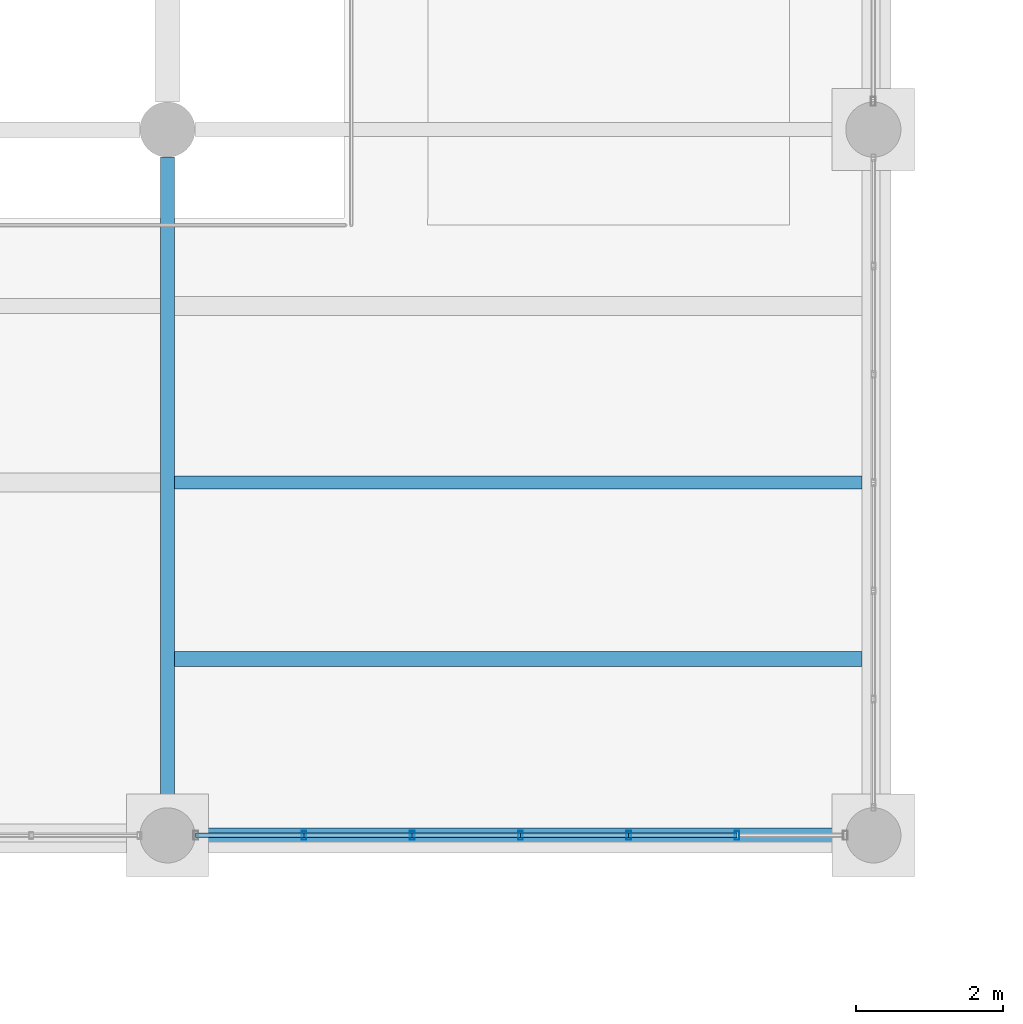
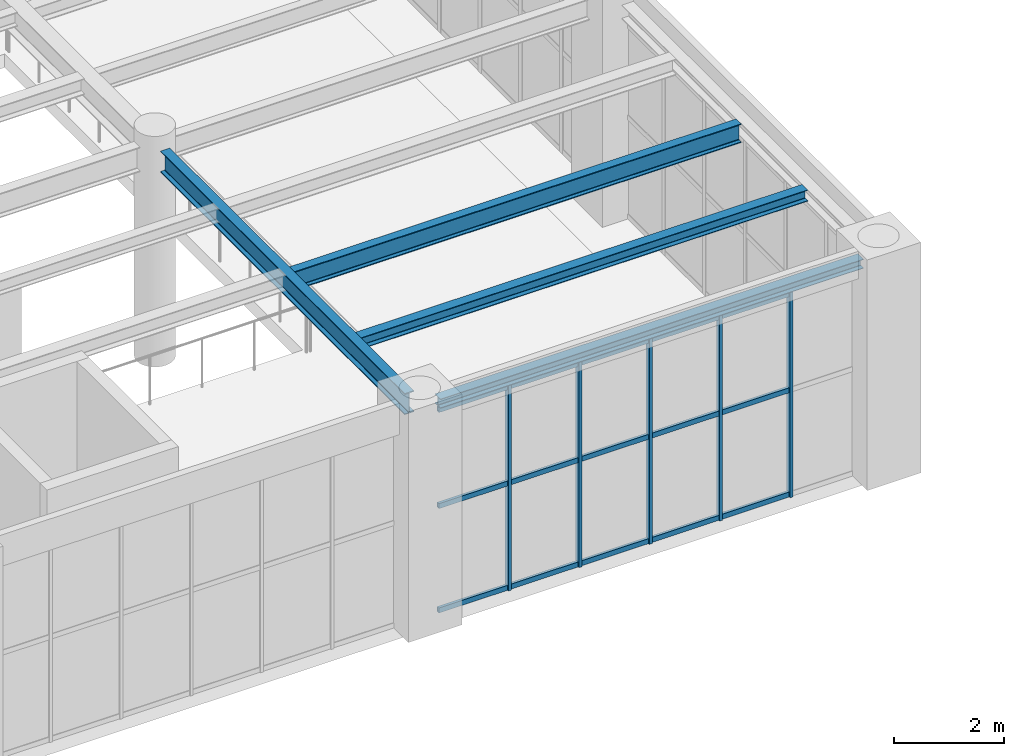
# One storey, part 35 of 174: 20 members, 4 beams, 1 element without a shape of its own.
"""IFC4 building model written with IfcOpenShell, lengths in metres."""

from ifc_helpers import new_model, si_unit, direction, frame, origin, origin_2d, place, context, subcontext, project, spatial, hollow_rectangle, i_section, extrude, material, material_profile, profile_set, type_object, element, aggregate, save


model = new_model("IFC4")

# Units and contexts
model_context = context("Model", 3, precision=1e-05, world=origin(), true_north=direction((0.0, 1.0)))
body_context = subcontext(model_context, "Body", "Model", "MODEL_VIEW")
ifc_project = project(units=[si_unit("LENGTHUNIT", "METRE"), si_unit("AREAUNIT", "SQUARE_METRE"), si_unit("VOLUMEUNIT", "CUBIC_METRE"), si_unit("PLANEANGLEUNIT", "RADIAN"), si_unit("MASSUNIT", "GRAM", prefix="KILO")], contexts=[model_context])

# Site, building, storey
site_placement = place(None, origin())
site = spatial("IfcSite", under=ifc_project, at=site_placement, CompositionType="ELEMENT")
building_placement = place(site_placement, origin())
building = spatial("IfcBuilding", under=site, at=building_placement, Name="Mavantir Sound Aquarium", CompositionType="ELEMENT")
storey_placement = place(building_placement, frame((0.0, 0.0, 5.39990234375)))
storey = spatial("IfcBuildingStorey", under=building, at=storey_placement, Name="L01", CompositionType="ELEMENT", Elevation=5.39990234375)

# Beams
ifc_material_1 = material(Name="Structural Steel ASTM A992 Gr50", Category="steel")
ifc_material_profile_1 = material_profile(ifc_material_1, i_section(OverallWidth=0.202880859375, OverallDepth=0.202880859375, WebThickness=0.007080078125, FlangeThickness=0.010986328125, FilletRadius=0.010009765625, at=origin_2d()), Name="W200X46")
ifc_profile_set_1 = profile_set([ifc_material_profile_1], Name="Structural Steel ASTM A992 Gr50")
beam_type_1 = type_object("IfcBeamType", Name="BM-W200X46-E", PredefinedType="LINTEL", material=ifc_profile_set_1)
beam_1_placement = place(storey_placement, frame((55.574951171875, 40.800048828125, 4.674560546875), z_axis=(1.0, 0.0, 0.0), x_axis=(0.0, 1.0, 0.0)))
element("IfcBeam", 1, at=beam_1_placement, inside=storey, type_object=beam_type_1, Name="L01 primary beam SL-20 1184", PredefinedType="LINTEL", context=body_context, shape_type="SweptSolid", body=[
    extrude(i_section(OverallWidth=0.202880859375, OverallDepth=0.202880859375, WebThickness=0.007080078125, FlangeThickness=0.010986328125, FilletRadius=0.010009765625, at=origin_2d()), origin(), (0.0, 0.0, 1.0), 8.85009765625),
])
ifc_material_profile_2 = material_profile(ifc_material_1, i_section(OverallWidth=0.202880859375, OverallDepth=0.251953125, WebThickness=0.008056640625, FlangeThickness=0.013427734375, FilletRadius=0.011962890625, at=origin_2d()), Name="W250X58")
ifc_profile_set_2 = profile_set([ifc_material_profile_2], Name="Structural Steel ASTM A992 Gr50")
beam_type_2 = type_object("IfcBeamType", Name="BM-W250X58-I", PredefinedType="JOIST", material=ifc_profile_set_2)
beam_2_placement = place(storey_placement, frame((55.297119140625, 43.199951171875, 4.650146484375), z_axis=(1.0, 0.0, 0.0), x_axis=(0.0, 1.0, 0.0)))
element("IfcBeam", 2, at=beam_2_placement, inside=storey, type_object=beam_type_2, Name="L01 secondary floor joist SJ-25 668", PredefinedType="JOIST", context=body_context, shape_type="SweptSolid", body=[
    extrude(i_section(OverallWidth=0.202880859375, OverallDepth=0.251953125, WebThickness=0.008056640625, FlangeThickness=0.013427734375, FilletRadius=0.011962890625, at=origin_2d()), origin(), (0.0, 0.0, 1.0), 9.350341796875),
])
ifc_material_profile_3 = material_profile(ifc_material_1, i_section(OverallWidth=0.180908203125, OverallDepth=0.4169921875, WebThickness=0.010986328125, FlangeThickness=0.018310546875, FilletRadius=0.014892578125, at=origin_2d()), Name="W410X85")
ifc_profile_set_3 = profile_set([ifc_material_profile_3], Name="Structural Steel ASTM A992 Gr50")
beam_type_3 = type_object("IfcBeamType", Name="BM-W410X85-I", PredefinedType="JOIST", material=ifc_profile_set_3)
beam_3_placement = place(storey_placement, frame((55.297119140625, 45.60009765625, 4.567626953125), z_axis=(1.0, 0.0, 0.0), x_axis=(0.0, 1.0, 0.0)))
element("IfcBeam", 3, at=beam_3_placement, inside=storey, type_object=beam_type_3, Name="L01 secondary floor joist SJ-41 669", PredefinedType="JOIST", context=body_context, shape_type="SweptSolid", body=[
    extrude(i_section(OverallWidth=0.180908203125, OverallDepth=0.4169921875, WebThickness=0.010986328125, FlangeThickness=0.018310546875, FilletRadius=0.014892578125, at=origin_2d()), origin(), (0.0, 0.0, 1.0), 9.350341796875),
])
ifc_material_profile_4 = material_profile(ifc_material_1, i_section(OverallWidth=0.194091796875, OverallDepth=0.468994140625, WebThickness=0.0126953125, FlangeThickness=0.0205078125, FilletRadius=0.01611328125, at=origin_2d()), Name="W460X106")
ifc_profile_set_4 = profile_set([ifc_material_profile_4], Name="Structural Steel ASTM A992 Gr50")
beam_type_4 = type_object("IfcBeamType", Name="BM-W460X106-I", PredefinedType="BEAM", material=ifc_profile_set_4)
beam_4_placement = place(storey_placement, frame((55.199951171875, 41.175048828125, 4.54150390625), z_axis=(0.0, 1.0, 0.0), x_axis=(-1.0, 0.0, 0.0)))
element("IfcBeam", 4, at=beam_4_placement, inside=storey, type_object=beam_type_4, Name="L01 primary girder SB-46 1200", PredefinedType="BEAM", context=body_context, shape_type="SweptSolid", body=[
    extrude(i_section(OverallWidth=0.194091796875, OverallDepth=0.468994140625, WebThickness=0.0126953125, FlangeThickness=0.0205078125, FilletRadius=0.01611328125, at=origin_2d()), origin(), (0.0, 0.0, 1.0), 8.849853515625),
])

# Curtain wall, members
ifc_material_2 = material(Name="Anodised Marine Aluminium and Low-E Glass", Category="aluminium")
curtain_wall_type = type_object("IfcCurtainWallType", Name="CW-T18", PredefinedType="USERDEFINED", material=ifc_material_2)
curtain_wall_placement = place(storey_placement, origin())
curtain_wall = element("IfcCurtainWall", 5, at=curtain_wall_placement, inside=storey, type_object=curtain_wall_type, Name="L01 unitised curtain wall CW-18 66", ObjectType="UNITISED GLAZING", PredefinedType="USERDEFINED")
ifc_material_3 = material(Name="Anodised Marine Aluminium 6063-T6", Category="aluminium")
ifc_material_profile_5 = material_profile(ifc_material_3, hollow_rectangle(XDim=0.06494140625, YDim=0.1201171875, WallThickness=0.00390625, at=origin_2d()), Name="ALU-MULLION-120X65")
ifc_profile_set_5 = profile_set([ifc_material_profile_5], Name="Anodised Marine Aluminium 6063-T6")
member_type_1 = type_object("IfcMemberType", Name="CW-MUL-120", PredefinedType="MULLION", material=ifc_profile_set_5)
member_1_placement = place(storey_placement, frame((57.055419921875, 40.800048828125, 0.0), z_axis=(0.0, 0.0, 1.0), x_axis=(1.0, 0.0, 0.0)))
member_1 = element("IfcMember", 6, at=member_1_placement, type_object=member_type_1, Name="CW-L01-066 vertical mullion 2", PredefinedType="MULLION", context=body_context, shape_type="SweptSolid", body=[
    extrude(hollow_rectangle(XDim=0.06494140625, YDim=0.1201171875, WallThickness=0.00390625, at=origin_2d()), origin(), (0.0, 0.0, 1.0), 4.543212890625),
])
member_2_placement = place(storey_placement, frame((58.527587890625, 40.800048828125, 0.0), z_axis=(0.0, 0.0, 1.0), x_axis=(1.0, 0.0, 0.0)))
member_2 = element("IfcMember", 7, at=member_2_placement, type_object=member_type_1, Name="CW-L01-066 vertical mullion 3", PredefinedType="MULLION", context=body_context, shape_type="SweptSolid", body=[
    extrude(hollow_rectangle(XDim=0.06494140625, YDim=0.1201171875, WallThickness=0.00390625, at=origin_2d()), origin(), (0.0, 0.0, 1.0), 4.543212890625),
])
member_3_placement = place(storey_placement, frame((60.0, 40.800048828125, 0.0), z_axis=(0.0, 0.0, 1.0), x_axis=(1.0, 0.0, 0.0)))
member_3 = element("IfcMember", 8, at=member_3_placement, type_object=member_type_1, Name="CW-L01-066 vertical mullion 4", PredefinedType="MULLION", context=body_context, shape_type="SweptSolid", body=[
    extrude(hollow_rectangle(XDim=0.06494140625, YDim=0.1201171875, WallThickness=0.00390625, at=origin_2d()), origin(), (0.0, 0.0, 1.0), 4.543212890625),
])
member_4_placement = place(storey_placement, frame((61.472412109375, 40.800048828125, 0.0), z_axis=(0.0, 0.0, 1.0), x_axis=(1.0, 0.0, 0.0)))
member_4 = element("IfcMember", 9, at=member_4_placement, type_object=member_type_1, Name="CW-L01-066 vertical mullion 5", PredefinedType="MULLION", context=body_context, shape_type="SweptSolid", body=[
    extrude(hollow_rectangle(XDim=0.06494140625, YDim=0.1201171875, WallThickness=0.00390625, at=origin_2d()), origin(), (0.0, 0.0, 1.0), 4.543212890625),
])
member_5_placement = place(storey_placement, frame((62.944580078125, 40.800048828125, 0.0), z_axis=(0.0, 0.0, 1.0), x_axis=(1.0, 0.0, 0.0)))
member_5 = element("IfcMember", 10, at=member_5_placement, type_object=member_type_1, Name="CW-L01-066 vertical mullion 6", PredefinedType="MULLION", context=body_context, shape_type="SweptSolid", body=[
    extrude(hollow_rectangle(XDim=0.06494140625, YDim=0.1201171875, WallThickness=0.00390625, at=origin_2d()), origin(), (0.0, 0.0, 1.0), 4.543212890625),
])
ifc_material_profile_6 = material_profile(ifc_material_3, hollow_rectangle(XDim=0.06005859375, YDim=0.110107421875, WallThickness=0.00390625, at=origin_2d()), Name="ALU-TRANSOM-110X60")
ifc_profile_set_6 = profile_set([ifc_material_profile_6], Name="Anodised Marine Aluminium 6063-T6")
member_type_2 = type_object("IfcMemberType", Name="CW-TRN-110", PredefinedType="USERDEFINED", material=ifc_profile_set_6)
member_6_placement = place(storey_placement, frame((55.5830078125, 40.800048828125, 0.05517578125), z_axis=(1.0, 0.0, 0.0), x_axis=(0.0, 1.0, 0.0)))
member_6 = element("IfcMember", 11, at=member_6_placement, type_object=member_type_2, Name="CW-L01-066 transom 1.1", ObjectType="TRANSOM", PredefinedType="USERDEFINED", context=body_context, shape_type="SweptSolid", body=[
    extrude(hollow_rectangle(XDim=0.06005859375, YDim=0.110107421875, WallThickness=0.00390625, at=origin_2d()), origin(), (0.0, 0.0, 1.0), 1.472412109375),
])
member_7_placement = place(storey_placement, frame((55.5830078125, 40.800048828125, 2.362548828125), z_axis=(1.0, 0.0, 0.0), x_axis=(0.0, 1.0, 0.0)))
member_7 = element("IfcMember", 12, at=member_7_placement, type_object=member_type_2, Name="CW-L01-066 transom 1.2", ObjectType="TRANSOM", PredefinedType="USERDEFINED", context=body_context, shape_type="SweptSolid", body=[
    extrude(hollow_rectangle(XDim=0.06005859375, YDim=0.110107421875, WallThickness=0.00390625, at=origin_2d()), origin(), (0.0, 0.0, 1.0), 1.472412109375),
])
member_8_placement = place(storey_placement, frame((55.5830078125, 40.800048828125, 4.488037109375), z_axis=(1.0, 0.0, 0.0), x_axis=(0.0, 1.0, 0.0)))
member_8 = element("IfcMember", 13, at=member_8_placement, type_object=member_type_2, Name="CW-L01-066 transom 1.3", ObjectType="TRANSOM", PredefinedType="USERDEFINED", context=body_context, shape_type="SweptSolid", body=[
    extrude(hollow_rectangle(XDim=0.06005859375, YDim=0.110107421875, WallThickness=0.00390625, at=origin_2d()), origin(), (0.0, 0.0, 1.0), 1.472412109375),
])
member_9_placement = place(storey_placement, frame((57.055419921875, 40.800048828125, 0.05517578125), z_axis=(1.0, 0.0, 0.0), x_axis=(0.0, 1.0, 0.0)))
member_9 = element("IfcMember", 14, at=member_9_placement, type_object=member_type_2, Name="CW-L01-066 transom 2.1", ObjectType="TRANSOM", PredefinedType="USERDEFINED", context=body_context, shape_type="SweptSolid", body=[
    extrude(hollow_rectangle(XDim=0.06005859375, YDim=0.110107421875, WallThickness=0.00390625, at=origin_2d()), origin(), (0.0, 0.0, 1.0), 1.47216796875),
])
member_10_placement = place(storey_placement, frame((57.055419921875, 40.800048828125, 2.362548828125), z_axis=(1.0, 0.0, 0.0), x_axis=(0.0, 1.0, 0.0)))
member_10 = element("IfcMember", 15, at=member_10_placement, type_object=member_type_2, Name="CW-L01-066 transom 2.2", ObjectType="TRANSOM", PredefinedType="USERDEFINED", context=body_context, shape_type="SweptSolid", body=[
    extrude(hollow_rectangle(XDim=0.06005859375, YDim=0.110107421875, WallThickness=0.00390625, at=origin_2d()), origin(), (0.0, 0.0, 1.0), 1.47216796875),
])
member_11_placement = place(storey_placement, frame((57.055419921875, 40.800048828125, 4.488037109375), z_axis=(1.0, 0.0, 0.0), x_axis=(0.0, 1.0, 0.0)))
member_11 = element("IfcMember", 16, at=member_11_placement, type_object=member_type_2, Name="CW-L01-066 transom 2.3", ObjectType="TRANSOM", PredefinedType="USERDEFINED", context=body_context, shape_type="SweptSolid", body=[
    extrude(hollow_rectangle(XDim=0.06005859375, YDim=0.110107421875, WallThickness=0.00390625, at=origin_2d()), origin(), (0.0, 0.0, 1.0), 1.47216796875),
])
member_12_placement = place(storey_placement, frame((58.527587890625, 40.800048828125, 0.05517578125), z_axis=(1.0, 0.0, 0.0), x_axis=(0.0, 1.0, 0.0)))
member_12 = element("IfcMember", 17, at=member_12_placement, type_object=member_type_2, Name="CW-L01-066 transom 3.1", ObjectType="TRANSOM", PredefinedType="USERDEFINED", context=body_context, shape_type="SweptSolid", body=[
    extrude(hollow_rectangle(XDim=0.06005859375, YDim=0.110107421875, WallThickness=0.00390625, at=origin_2d()), origin(), (0.0, 0.0, 1.0), 1.472412109375),
])
member_13_placement = place(storey_placement, frame((58.527587890625, 40.800048828125, 2.362548828125), z_axis=(1.0, 0.0, 0.0), x_axis=(0.0, 1.0, 0.0)))
member_13 = element("IfcMember", 18, at=member_13_placement, type_object=member_type_2, Name="CW-L01-066 transom 3.2", ObjectType="TRANSOM", PredefinedType="USERDEFINED", context=body_context, shape_type="SweptSolid", body=[
    extrude(hollow_rectangle(XDim=0.06005859375, YDim=0.110107421875, WallThickness=0.00390625, at=origin_2d()), origin(), (0.0, 0.0, 1.0), 1.472412109375),
])
member_14_placement = place(storey_placement, frame((58.527587890625, 40.800048828125, 4.488037109375), z_axis=(1.0, 0.0, 0.0), x_axis=(0.0, 1.0, 0.0)))
member_14 = element("IfcMember", 19, at=member_14_placement, type_object=member_type_2, Name="CW-L01-066 transom 3.3", ObjectType="TRANSOM", PredefinedType="USERDEFINED", context=body_context, shape_type="SweptSolid", body=[
    extrude(hollow_rectangle(XDim=0.06005859375, YDim=0.110107421875, WallThickness=0.00390625, at=origin_2d()), origin(), (0.0, 0.0, 1.0), 1.472412109375),
])
member_15_placement = place(storey_placement, frame((60.0, 40.800048828125, 0.05517578125), z_axis=(1.0, 0.0, 0.0), x_axis=(0.0, 1.0, 0.0)))
member_15 = element("IfcMember", 20, at=member_15_placement, type_object=member_type_2, Name="CW-L01-066 transom 4.1", ObjectType="TRANSOM", PredefinedType="USERDEFINED", context=body_context, shape_type="SweptSolid", body=[
    extrude(hollow_rectangle(XDim=0.06005859375, YDim=0.110107421875, WallThickness=0.00390625, at=origin_2d()), origin(), (0.0, 0.0, 1.0), 1.472412109375),
])
member_16_placement = place(storey_placement, frame((60.0, 40.800048828125, 2.362548828125), z_axis=(1.0, 0.0, 0.0), x_axis=(0.0, 1.0, 0.0)))
member_16 = element("IfcMember", 21, at=member_16_placement, type_object=member_type_2, Name="CW-L01-066 transom 4.2", ObjectType="TRANSOM", PredefinedType="USERDEFINED", context=body_context, shape_type="SweptSolid", body=[
    extrude(hollow_rectangle(XDim=0.06005859375, YDim=0.110107421875, WallThickness=0.00390625, at=origin_2d()), origin(), (0.0, 0.0, 1.0), 1.472412109375),
])
member_17_placement = place(storey_placement, frame((60.0, 40.800048828125, 4.488037109375), z_axis=(1.0, 0.0, 0.0), x_axis=(0.0, 1.0, 0.0)))
member_17 = element("IfcMember", 22, at=member_17_placement, type_object=member_type_2, Name="CW-L01-066 transom 4.3", ObjectType="TRANSOM", PredefinedType="USERDEFINED", context=body_context, shape_type="SweptSolid", body=[
    extrude(hollow_rectangle(XDim=0.06005859375, YDim=0.110107421875, WallThickness=0.00390625, at=origin_2d()), origin(), (0.0, 0.0, 1.0), 1.472412109375),
])
member_18_placement = place(storey_placement, frame((61.472412109375, 40.800048828125, 0.05517578125), z_axis=(1.0, 0.0, 0.0), x_axis=(0.0, 1.0, 0.0)))
member_18 = element("IfcMember", 23, at=member_18_placement, type_object=member_type_2, Name="CW-L01-066 transom 5.1", ObjectType="TRANSOM", PredefinedType="USERDEFINED", context=body_context, shape_type="SweptSolid", body=[
    extrude(hollow_rectangle(XDim=0.06005859375, YDim=0.110107421875, WallThickness=0.00390625, at=origin_2d()), origin(), (0.0, 0.0, 1.0), 1.47216796875),
])
member_19_placement = place(storey_placement, frame((61.472412109375, 40.800048828125, 2.362548828125), z_axis=(1.0, 0.0, 0.0), x_axis=(0.0, 1.0, 0.0)))
member_19 = element("IfcMember", 24, at=member_19_placement, type_object=member_type_2, Name="CW-L01-066 transom 5.2", ObjectType="TRANSOM", PredefinedType="USERDEFINED", context=body_context, shape_type="SweptSolid", body=[
    extrude(hollow_rectangle(XDim=0.06005859375, YDim=0.110107421875, WallThickness=0.00390625, at=origin_2d()), origin(), (0.0, 0.0, 1.0), 1.47216796875),
])
member_20_placement = place(storey_placement, frame((61.472412109375, 40.800048828125, 4.488037109375), z_axis=(1.0, 0.0, 0.0), x_axis=(0.0, 1.0, 0.0)))
member_20 = element("IfcMember", 25, at=member_20_placement, type_object=member_type_2, Name="CW-L01-066 transom 5.3", ObjectType="TRANSOM", PredefinedType="USERDEFINED", context=body_context, shape_type="SweptSolid", body=[
    extrude(hollow_rectangle(XDim=0.06005859375, YDim=0.110107421875, WallThickness=0.00390625, at=origin_2d()), origin(), (0.0, 0.0, 1.0), 1.47216796875),
])
aggregate(curtain_wall, [member_1, member_2, member_3, member_4, member_5, member_6, member_7, member_8, member_9, member_10, member_11, member_12, member_13, member_14, member_15, member_16, member_17, member_18, member_19, member_20])

save(model, "model.ifc")
